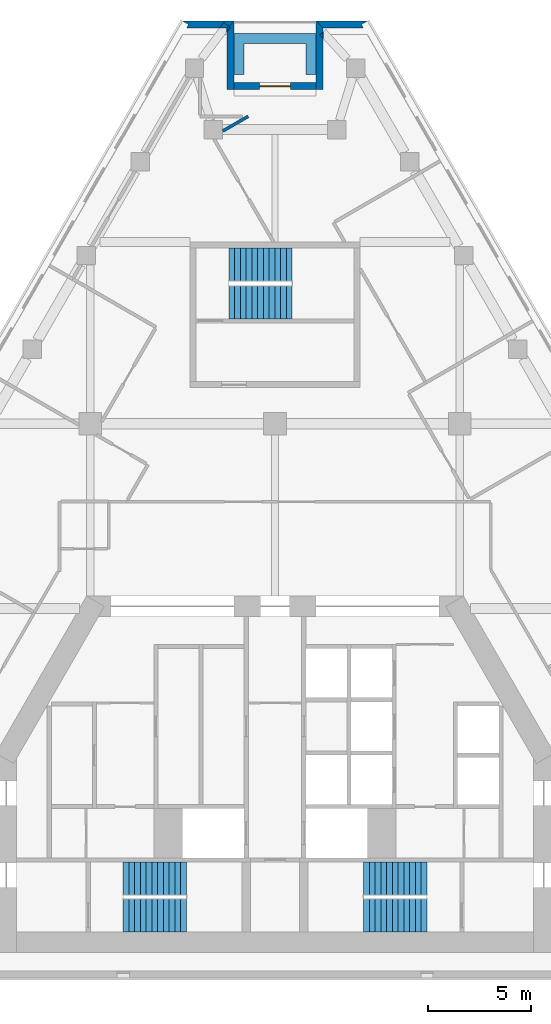
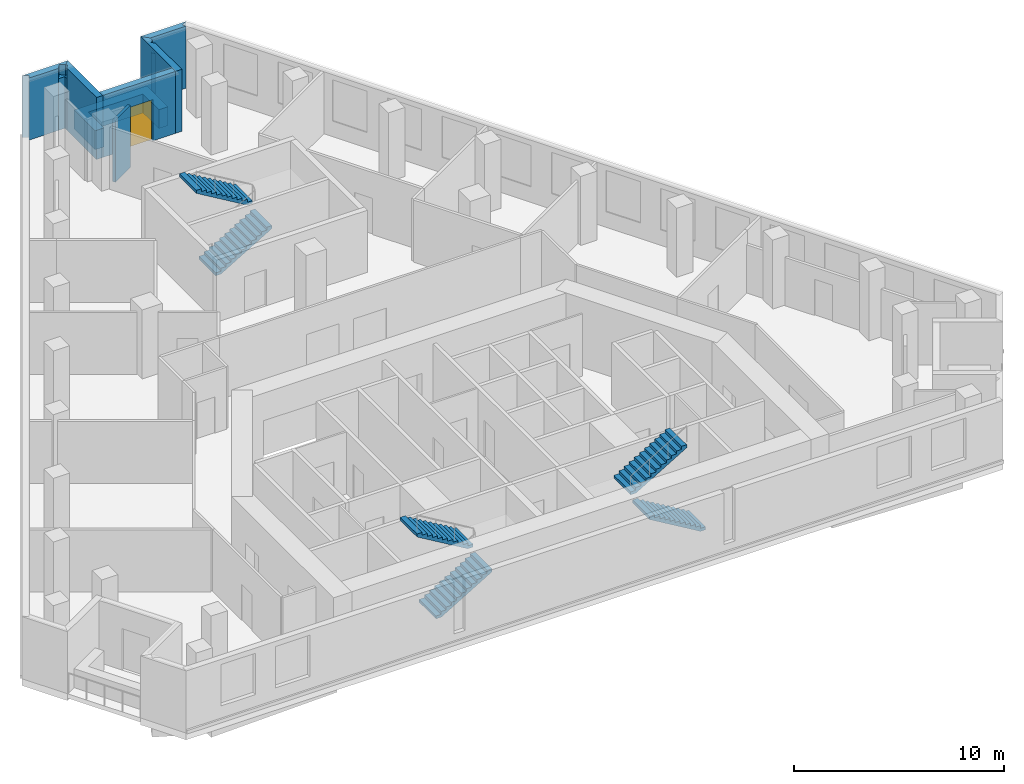
# One storey, part 7 of 8: 10 walls, 6 stair flights, 1 door, 1 opening, 3 elements without a shape of their own.
"""IFC4 building model written with IfcOpenShell, lengths in metres."""

from ifc_helpers import new_model, si_unit, direction, frame, frame_2d, origin, place, context, subcontext, project, spatial, polyline, rectangle, outline, extrude, material, layer, layer_set, type_object, element, fill, aggregate, save


model = new_model("IFC4")

# Units and contexts
model_context = context("Model", 3, precision=1e-05, world=origin(), true_north=direction((0.0, 1.0)))
body_context = subcontext(model_context, "Body", "Model", "MODEL_VIEW")
ifc_project = project(units=[si_unit("LENGTHUNIT", "METRE"), si_unit("AREAUNIT", "SQUARE_METRE"), si_unit("VOLUMEUNIT", "CUBIC_METRE"), si_unit("PLANEANGLEUNIT", "RADIAN"), si_unit("MASSUNIT", "GRAM", prefix="KILO")], contexts=[model_context])

# Site, building, storey
site_placement = place(None, origin())
site = spatial("IfcSite", under=ifc_project, at=site_placement, CompositionType="ELEMENT")
building_placement = place(site_placement, origin())
building = spatial("IfcBuilding", under=site, at=building_placement, Name="Fogline Exchange Tower", CompositionType="ELEMENT")
storey_placement = place(building_placement, frame((0.0, 0.0, 231.5)))
storey = spatial("IfcBuildingStorey", under=building, at=storey_placement, Name="L52", CompositionType="ELEMENT", Elevation=231.5)

# Walls
ifc_material_1 = material(Name="Brick masonry", Category="masonry")
ifc_layer_1 = layer(ifc_material_1, 0.340087890625)
ifc_layer_set_1 = layer_set([ifc_layer_1], Name="FW1")
wall_type_1 = type_object("IfcWallType", Name="FW1", PredefinedType="SOLIDWALL", material=ifc_layer_set_1)
wall_1_placement = place(storey_placement, origin())
element("IfcWall", 1, at=wall_1_placement, inside=storey, type_object=wall_type_1, Name="Brick wall L52 N-c1", PredefinedType="SOLIDWALL", context=body_context, shape_type="SweptSolid", body=[
    extrude(outline(polyline([(1.9990234375, 46.6171875), (4.5009765625, 46.6171875), (4.501220703125, 46.61669921875), (4.206298828125, 46.446533203125), (4.3046875, 46.276123046875), (2.33984375, 46.276123046875), (1.998779296875, 46.616943359375), (1.9990234375, 46.6171875)])), origin(), (0.0, 0.0, 1.0), 3.60009765625),
])
wall_2_placement = place(storey_placement, origin())
element("IfcWall", 2, at=wall_2_placement, inside=storey, type_object=wall_type_1, Name="Brick wall L52 N-s1", PredefinedType="SOLIDWALL", context=body_context, shape_type="SweptSolid", body=[
    extrude(outline(polyline([(2.340576171875, 45.7705078125), (2.188232421875, 45.938232421875), (2.340576171875, 46.07666015625), (2.340576171875, 45.7705078125)])), origin(), (0.0, 0.0, 1.0), 3.0),
])
wall_3_placement = place(storey_placement, origin())
element("IfcWall", 3, at=wall_3_placement, inside=storey, type_object=wall_type_1, Name="Brick wall L52 N-s1", PredefinedType="SOLIDWALL", context=body_context, shape_type="SweptSolid", body=[
    extrude(outline(polyline([(1.99951171875, 43.276123046875), (1.99951171875, 46.61767578125), (1.999755859375, 46.617919921875), (2.340576171875, 46.27685546875), (2.340576171875, 46.07666015625), (2.188232421875, 45.938232421875), (2.340576171875, 45.7705078125), (2.340576171875, 43.276123046875), (1.99951171875, 43.276123046875)])), origin(), (0.0, 0.0, 1.0), 3.60009765625),
])

# Wall, opening, door
wall_4_placement = place(storey_placement, frame((2.0, 43.446533203125, 0.0), z_axis=(0.0, 0.0, 1.0), x_axis=(-1.0, 0.0, 0.0)))
wall_4 = element("IfcWall", 4, at=wall_4_placement, inside=storey, type_object=wall_type_1, Name="Brick wall L52 N-bk", PredefinedType="SOLIDWALL", context=body_context, shape_type="SweptSolid", body=[
    extrude(rectangle(XDim=4.0, YDim=0.340087890625, at=frame_2d((2.0, 0.0))), origin(), (0.0, 0.0, 1.0), 3.60009765625),
])
opening_placement = place(wall_4_placement, frame((1.25, 0.0, 0.0)))
opening = element("IfcOpeningElement", 5, at=opening_placement, cuts=wall_4, Name="Opening T16-E141", PredefinedType="OPENING", context=body_context, shape_type="SweptSolid", body=[
    extrude(rectangle(XDim=1.5, YDim=2.39990234375, at=frame_2d((0.75, 1.199951171875))), frame((0.0, 0.18017578125, 0.0), z_axis=(0.0, -1.0, 0.0), x_axis=(1.0, 0.0, 0.0)), (0.0, 0.0, 1.0), 0.360107421875),
])
ifc_material_2 = material(Name="Aluminium and glass", Category="aluminium")
door_type = type_object("IfcDoorType", Name="ED4", OperationType="SINGLE_SWING_LEFT", PredefinedType="DOOR", material=ifc_material_2)
door_placement = place(opening_placement, frame((1.5, 0.0, 0.0), z_axis=(0.0, 0.0, 1.0), x_axis=(-1.0, 0.0, 0.0)))
door = element("IfcDoor", 6, at=door_placement, inside=storey, type_object=door_type, Name="Balcony door L52 N", OperationType="DOUBLE_DOOR_SINGLE_SWING", OverallHeight=2.39990234375, OverallWidth=1.5, PredefinedType="DOOR", context=body_context, shape_type="SweptSolid", body=[
    extrude(rectangle(XDim=1.5, YDim=2.39990234375, at=frame_2d((0.75, 1.199951171875))), frame((0.0, 0.02490234375, 0.0), z_axis=(0.0, -1.0, 0.0), x_axis=(1.0, 0.0, 0.0)), (0.0, 0.0, 1.0), 0.050048828125),
])
fill(opening, door)

# Walls
wall_5_placement = place(storey_placement, origin())
element("IfcWall", 7, at=wall_5_placement, inside=storey, type_object=wall_type_1, Name="Brick wall L52 N-s2", PredefinedType="SOLIDWALL", context=body_context, shape_type="SweptSolid", body=[
    extrude(outline(polyline([(-2.340576171875, 46.27685546875), (-2.251953125, 46.365478515625), (-2.18017578125, 46.3115234375), (-2.340576171875, 46.09814453125), (-2.340576171875, 46.27685546875)])), origin(), (0.0, 0.0, 1.0), 3.0),
])
wall_6_placement = place(storey_placement, origin())
element("IfcWall", 8, at=wall_6_placement, inside=storey, type_object=wall_type_1, Name="Brick wall L52 N-s2", PredefinedType="SOLIDWALL", context=body_context, shape_type="SweptSolid", body=[
    extrude(outline(polyline([(-1.99951171875, 43.276123046875), (-2.340576171875, 43.276123046875), (-2.340576171875, 46.09814453125), (-2.18017578125, 46.3115234375), (-2.251953125, 46.365478515625), (-1.999755859375, 46.617919921875), (-1.99951171875, 46.61767578125), (-1.99951171875, 43.276123046875)])), origin(), (0.0, 0.0, 1.0), 3.60009765625),
])
wall_7_placement = place(storey_placement, origin())
element("IfcWall", 9, at=wall_7_placement, inside=storey, type_object=wall_type_1, Name="Brick wall L52 N-c2", PredefinedType="SOLIDWALL", context=body_context, shape_type="SweptSolid", body=[
    extrude(outline(polyline([(-2.33984375, 46.276123046875), (-2.707275390625, 46.276123046875), (-2.499755859375, 46.552001953125), (-2.2509765625, 46.36474609375), (-2.33984375, 46.276123046875)])), origin(), (0.0, 0.0, 1.0), 3.0),
])
wall_8_placement = place(storey_placement, origin())
element("IfcWall", 10, at=wall_8_placement, inside=storey, type_object=wall_type_1, Name="Brick wall L52 N-c2", PredefinedType="SOLIDWALL", context=body_context, shape_type="SweptSolid", body=[
    extrude(outline(polyline([(-4.206298828125, 46.446533203125), (-4.501220703125, 46.61669921875), (-4.5009765625, 46.6171875), (-1.9990234375, 46.6171875), (-1.998779296875, 46.616943359375), (-2.2509765625, 46.36474609375), (-2.499755859375, 46.552001953125), (-2.707275390625, 46.276123046875), (-4.3046875, 46.276123046875), (-4.206298828125, 46.446533203125)])), origin(), (0.0, 0.0, 1.0), 3.60009765625),
])
ifc_material_3 = material(Name="Concrete C30", Category="concrete")
ifc_layer_2 = layer(ifc_material_3, 0.199951171875)
ifc_layer_set_2 = layer_set([ifc_layer_2], Name="PL1")
wall_type_2 = type_object("IfcWallType", Name="PL1", PredefinedType="USERDEFINED", material=ifc_layer_set_2)
wall_9_placement = place(storey_placement, origin())
element("IfcWall", 11, at=wall_9_placement, inside=storey, type_object=wall_type_2, Name="PLANTER balcony L52 N", ObjectType="PLANTER", PredefinedType="USERDEFINED", context=body_context, shape_type="SweptSolid", body=[
    extrude(outline(polyline([(-1.5, 46.0166015625), (-2.0, 46.0166015625), (-2.0, 45.5166015625), (-2.0, 44.0166015625), (-1.5, 44.0166015625), (-1.5, 45.5166015625), (1.5, 45.5166015625), (1.5, 44.0166015625), (2.0, 44.0166015625), (2.0, 45.5166015625), (2.0, 46.0166015625), (1.5, 46.0166015625), (-1.5, 46.0166015625)])), origin(), (0.0, 0.0, 1.0), 1.10009765625),
])
ifc_material_4 = material(Name="Plasterboard demising partition with mineral wool and acoustic board")
ifc_layer_3 = layer(ifc_material_4, 0.14990234375)
ifc_layer_set_3 = layer_set([ifc_layer_3], Name="PW3")
wall_type_3 = type_object("IfcWallType", Name="PW3", PredefinedType="PARTITIONING", material=ifc_layer_set_3)
wall_10_placement = place(storey_placement, frame((-2.550048828125, 41.255126953125, 0.0), z_axis=(0.0, 0.0, 1.0), x_axis=(0.866001162221, 0.500041985268, 0.0)))
element("IfcWall", 12, at=wall_10_placement, inside=storey, type_object=wall_type_3, Name="wall-L52-W028", PredefinedType="PARTITIONING", context=body_context, shape_type="SweptSolid", body=[
    extrude(rectangle(XDim=1.43310546875, YDim=0.14990234375, at=frame_2d((0.716552734375, 0.0))), origin(), (0.0, 0.0, 1.0), 3.60009765625),
])

# Stair, stair flights
ifc_material_5 = material(Name="Concrete C40", Category="concrete")
stair_type = type_object("IfcStairType", Name="STR24-1667", PredefinedType="HALF_TURN_STAIR", material=ifc_material_5)
stair_1_placement = place(storey_placement, origin())
stair_1 = element("IfcStair", 13, at=stair_1_placement, inside=storey, type_object=stair_type, Name="Stair ST1", PredefinedType="HALF_TURN_STAIR")
stair_flight_type = type_object("IfcStairFlightType", Name="SF12-1667", PredefinedType="STRAIGHT", material=ifc_material_5)
stair_flight_1_placement = place(storey_placement, frame((-7.39990234375, 3.050048828125, 0.0), z_axis=(0.0, 0.0, 1.0), x_axis=(1.0, 0.0, 0.0)))
stair_flight_1 = element("IfcStairFlight", 14, at=stair_flight_1_placement, type_object=stair_flight_type, Name="ST1 flight 1", NumberOfRisers=12, NumberOfTreads=11, PredefinedType="STRAIGHT", RiserHeight=0.166666667, TreadLength=0.28, context=body_context, shape_type="SweptSolid", body=[
    extrude(outline(polyline([(0.0, 0.0), (0.0, 0.166748046875), (0.280029296875, 0.166748046875), (0.280029296875, 0.333251953125), (0.56005859375, 0.333251953125), (0.56005859375, 0.5), (0.840087890625, 0.5), (0.840087890625, 0.666748046875), (1.1201171875, 0.666748046875), (1.1201171875, 0.833251953125), (1.39990234375, 0.833251953125), (1.39990234375, 1.0), (1.679931640625, 1.0), (1.679931640625, 1.166748046875), (1.9599609375, 1.166748046875), (1.9599609375, 1.333251953125), (2.239990234375, 1.333251953125), (2.239990234375, 1.5), (2.52001953125, 1.5), (2.52001953125, 1.666748046875), (2.800048828125, 1.666748046875), (2.800048828125, 1.833251953125), (3.080078125, 1.833251953125), (3.080078125, 2.0), (3.080078125, 1.658935546875), (0.29296875, 0.0), (0.0, 0.0)])), frame((0.0, 0.800048828125, 0.0), z_axis=(0.0, -1.0, 0.0), x_axis=(1.0, 0.0, 0.0)), (0.0, 0.0, 1.0), 1.60009765625),
])
stair_flight_2_placement = place(storey_placement, frame((-4.320068359375, 4.85009765625, 2.0), z_axis=(0.0, 0.0, 1.0), x_axis=(-1.0, 0.0, 0.0)))
stair_flight_2 = element("IfcStairFlight", 15, at=stair_flight_2_placement, type_object=stair_flight_type, Name="ST1 flight 2", NumberOfRisers=12, NumberOfTreads=11, PredefinedType="STRAIGHT", RiserHeight=0.166666667, TreadLength=0.28, context=body_context, shape_type="SweptSolid", body=[
    extrude(outline(polyline([(0.0, 0.0), (0.0, 0.166748046875), (0.280029296875, 0.166748046875), (0.280029296875, 0.333251953125), (0.56005859375, 0.333251953125), (0.56005859375, 0.5), (0.840087890625, 0.5), (0.840087890625, 0.666748046875), (1.1201171875, 0.666748046875), (1.1201171875, 0.833251953125), (1.39990234375, 0.833251953125), (1.39990234375, 1.0), (1.679931640625, 1.0), (1.679931640625, 1.166748046875), (1.9599609375, 1.166748046875), (1.9599609375, 1.333251953125), (2.239990234375, 1.333251953125), (2.239990234375, 1.5), (2.52001953125, 1.5), (2.52001953125, 1.666748046875), (2.800048828125, 1.666748046875), (2.800048828125, 1.833251953125), (3.080078125, 1.833251953125), (3.080078125, 2.0), (3.080078125, 1.658935546875), (0.29296875, 0.0), (0.0, 0.0)])), frame((0.0, 0.800048828125, 0.0), z_axis=(0.0, -1.0, 0.0), x_axis=(1.0, 0.0, 0.0)), (0.0, 0.0, 1.0), 1.60009765625),
])
aggregate(stair_1, [stair_flight_1, stair_flight_2])

stair_2_placement = place(storey_placement, origin())
stair_2 = element("IfcStair", 16, at=stair_2_placement, inside=storey, type_object=stair_type, Name="Stair ST2", PredefinedType="HALF_TURN_STAIR")
stair_flight_3_placement = place(storey_placement, frame((7.39990234375, 3.050048828125, 0.0), z_axis=(0.0, 0.0, 1.0), x_axis=(-1.0, 0.0, 0.0)))
stair_flight_3 = element("IfcStairFlight", 17, at=stair_flight_3_placement, type_object=stair_flight_type, Name="ST2 flight 1", NumberOfRisers=12, NumberOfTreads=11, PredefinedType="STRAIGHT", RiserHeight=0.166666667, TreadLength=0.28, context=body_context, shape_type="SweptSolid", body=[
    extrude(outline(polyline([(0.0, 0.0), (0.0, 0.166748046875), (0.280029296875, 0.166748046875), (0.280029296875, 0.333251953125), (0.56005859375, 0.333251953125), (0.56005859375, 0.5), (0.840087890625, 0.5), (0.840087890625, 0.666748046875), (1.1201171875, 0.666748046875), (1.1201171875, 0.833251953125), (1.39990234375, 0.833251953125), (1.39990234375, 1.0), (1.679931640625, 1.0), (1.679931640625, 1.166748046875), (1.9599609375, 1.166748046875), (1.9599609375, 1.333251953125), (2.239990234375, 1.333251953125), (2.239990234375, 1.5), (2.52001953125, 1.5), (2.52001953125, 1.666748046875), (2.800048828125, 1.666748046875), (2.800048828125, 1.833251953125), (3.080078125, 1.833251953125), (3.080078125, 2.0), (3.080078125, 1.658935546875), (0.29296875, 0.0), (0.0, 0.0)])), frame((0.0, 0.800048828125, 0.0), z_axis=(0.0, -1.0, 0.0), x_axis=(1.0, 0.0, 0.0)), (0.0, 0.0, 1.0), 1.60009765625),
])
stair_flight_4_placement = place(storey_placement, frame((4.320068359375, 4.85009765625, 2.0), z_axis=(0.0, 0.0, 1.0), x_axis=(1.0, 0.0, 0.0)))
stair_flight_4 = element("IfcStairFlight", 18, at=stair_flight_4_placement, type_object=stair_flight_type, Name="ST2 flight 2", NumberOfRisers=12, NumberOfTreads=11, PredefinedType="STRAIGHT", RiserHeight=0.166666667, TreadLength=0.28, context=body_context, shape_type="SweptSolid", body=[
    extrude(outline(polyline([(0.0, 0.0), (0.0, 0.166748046875), (0.280029296875, 0.166748046875), (0.280029296875, 0.333251953125), (0.56005859375, 0.333251953125), (0.56005859375, 0.5), (0.840087890625, 0.5), (0.840087890625, 0.666748046875), (1.1201171875, 0.666748046875), (1.1201171875, 0.833251953125), (1.39990234375, 0.833251953125), (1.39990234375, 1.0), (1.679931640625, 1.0), (1.679931640625, 1.166748046875), (1.9599609375, 1.166748046875), (1.9599609375, 1.333251953125), (2.239990234375, 1.333251953125), (2.239990234375, 1.5), (2.52001953125, 1.5), (2.52001953125, 1.666748046875), (2.800048828125, 1.666748046875), (2.800048828125, 1.833251953125), (3.080078125, 1.833251953125), (3.080078125, 2.0), (3.080078125, 1.658935546875), (0.29296875, 0.0), (0.0, 0.0)])), frame((0.0, 0.800048828125, 0.0), z_axis=(0.0, -1.0, 0.0), x_axis=(1.0, 0.0, 0.0)), (0.0, 0.0, 1.0), 1.60009765625),
])
aggregate(stair_2, [stair_flight_3, stair_flight_4])

stair_3_placement = place(storey_placement, origin())
stair_3 = element("IfcStair", 19, at=stair_3_placement, inside=storey, type_object=stair_type, Name="Stair ST3", PredefinedType="HALF_TURN_STAIR")
stair_flight_5_placement = place(storey_placement, frame((-2.25, 32.906982421875, 0.0), z_axis=(0.0, 0.0, 1.0), x_axis=(1.0, 0.0, 0.0)))
stair_flight_5 = element("IfcStairFlight", 20, at=stair_flight_5_placement, type_object=stair_flight_type, Name="ST3 flight 1", NumberOfRisers=12, NumberOfTreads=11, PredefinedType="STRAIGHT", RiserHeight=0.166666667, TreadLength=0.28, context=body_context, shape_type="SweptSolid", body=[
    extrude(outline(polyline([(0.0, 0.0), (0.0, 0.166748046875), (0.280029296875, 0.166748046875), (0.280029296875, 0.333251953125), (0.56005859375, 0.333251953125), (0.56005859375, 0.5), (0.840087890625, 0.5), (0.840087890625, 0.666748046875), (1.1201171875, 0.666748046875), (1.1201171875, 0.833251953125), (1.39990234375, 0.833251953125), (1.39990234375, 1.0), (1.679931640625, 1.0), (1.679931640625, 1.166748046875), (1.9599609375, 1.166748046875), (1.9599609375, 1.333251953125), (2.239990234375, 1.333251953125), (2.239990234375, 1.5), (2.52001953125, 1.5), (2.52001953125, 1.666748046875), (2.800048828125, 1.666748046875), (2.800048828125, 1.833251953125), (3.080078125, 1.833251953125), (3.080078125, 2.0), (3.080078125, 1.658935546875), (0.29296875, 0.0), (0.0, 0.0)])), frame((0.0, 0.800048828125, 0.0), z_axis=(0.0, -1.0, 0.0), x_axis=(1.0, 0.0, 0.0)), (0.0, 0.0, 1.0), 1.60009765625),
])
stair_flight_6_placement = place(storey_placement, frame((0.830078125, 34.757080078125, 2.0), z_axis=(0.0, 0.0, 1.0), x_axis=(-1.0, 0.0, 0.0)))
stair_flight_6 = element("IfcStairFlight", 21, at=stair_flight_6_placement, type_object=stair_flight_type, Name="ST3 flight 2", NumberOfRisers=12, NumberOfTreads=11, PredefinedType="STRAIGHT", RiserHeight=0.166666667, TreadLength=0.28, context=body_context, shape_type="SweptSolid", body=[
    extrude(outline(polyline([(0.0, 0.0), (0.0, 0.166748046875), (0.280029296875, 0.166748046875), (0.280029296875, 0.333251953125), (0.56005859375, 0.333251953125), (0.56005859375, 0.5), (0.840087890625, 0.5), (0.840087890625, 0.666748046875), (1.1201171875, 0.666748046875), (1.1201171875, 0.833251953125), (1.39990234375, 0.833251953125), (1.39990234375, 1.0), (1.679931640625, 1.0), (1.679931640625, 1.166748046875), (1.9599609375, 1.166748046875), (1.9599609375, 1.333251953125), (2.239990234375, 1.333251953125), (2.239990234375, 1.5), (2.52001953125, 1.5), (2.52001953125, 1.666748046875), (2.800048828125, 1.666748046875), (2.800048828125, 1.833251953125), (3.080078125, 1.833251953125), (3.080078125, 2.0), (3.080078125, 1.658935546875), (0.29296875, 0.0), (0.0, 0.0)])), frame((0.0, 0.800048828125, 0.0), z_axis=(0.0, -1.0, 0.0), x_axis=(1.0, 0.0, 0.0)), (0.0, 0.0, 1.0), 1.60009765625),
])
aggregate(stair_3, [stair_flight_5, stair_flight_6])

save(model, "model.ifc")
